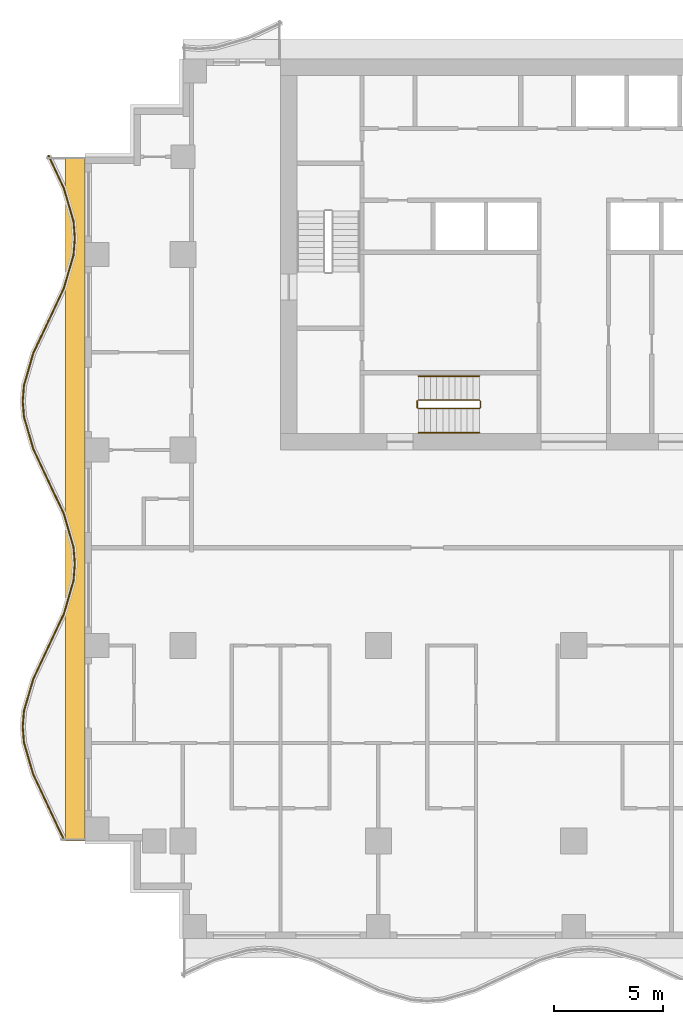
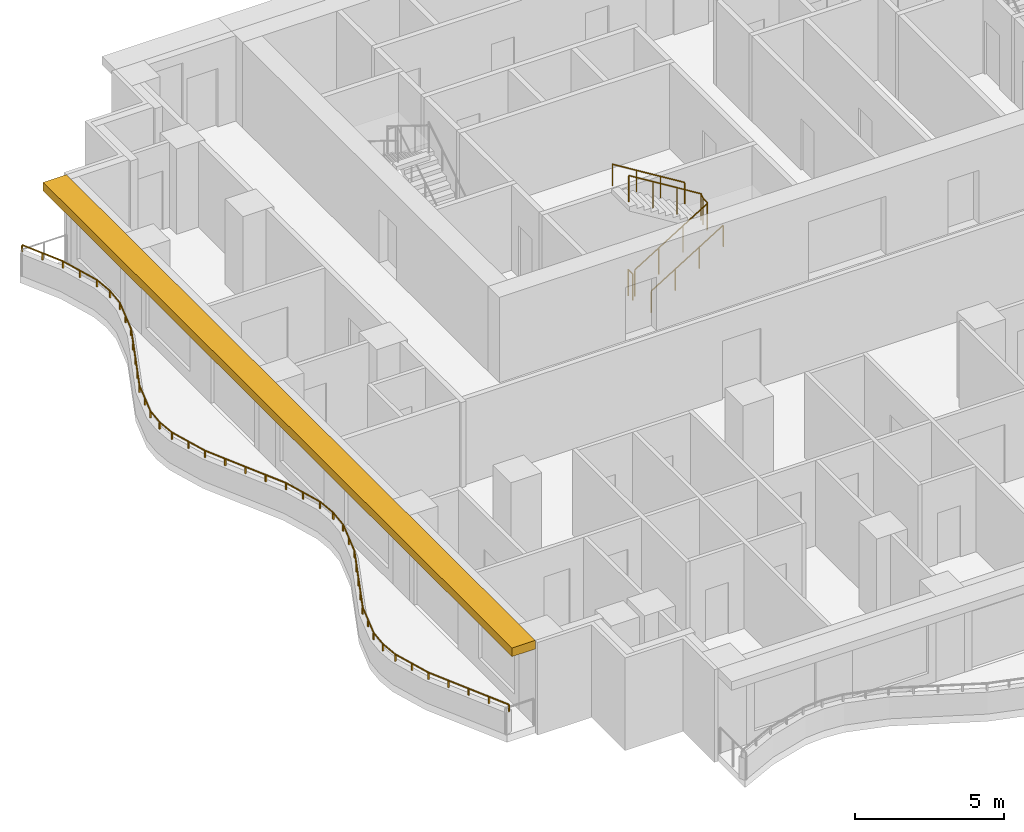
# One storey, part 8 of 10: 5 railings, 1 shading device.
"""IFC4 building model written with IfcOpenShell, lengths in metres."""

from ifc_helpers import new_model, si_unit, direction, frame, origin, origin_2d, place, context, subcontext, project, spatial, polyline, rectangle, circle, outline, extrude, material, layer, layer_set, type_object, element, save


model = new_model("IFC4")

# Units and contexts
model_context = context("Model", 3, precision=1e-05, world=origin(), true_north=direction((0.0, 1.0)))
body_context = subcontext(model_context, "Body", "Model", "MODEL_VIEW")
ifc_project = project(units=[si_unit("LENGTHUNIT", "METRE"), si_unit("AREAUNIT", "SQUARE_METRE"), si_unit("VOLUMEUNIT", "CUBIC_METRE"), si_unit("PLANEANGLEUNIT", "RADIAN"), si_unit("MASSUNIT", "GRAM", prefix="KILO")], contexts=[model_context])

# Site, building, storey
site_placement = place(None, origin())
site = spatial("IfcSite", under=ifc_project, at=site_placement, CompositionType="ELEMENT")
building_placement = place(site_placement, origin())
building = spatial("IfcBuilding", under=site, at=building_placement, Name="Orbiselva Terraces", CompositionType="ELEMENT")
storey_placement = place(building_placement, frame((0.0, 0.0, 159.2)))
storey = spatial("IfcBuildingStorey", under=building, at=storey_placement, Name="L40", CompositionType="ELEMENT", Elevation=159.2)

# Railings
ifc_material_1 = material(Name="Stainless steel", Category="steel")
railing_type_1 = type_object("IfcRailingType", Name="CORE-GUARD-1100", PredefinedType="GUARDRAIL", material=ifc_material_1)
railing_1_placement = place(storey_placement, frame((-7.15, 6.4, 0.172727)))
element("IfcRailing", 1, at=railing_1_placement, inside=storey, type_object=railing_type_1, Name="L40 S3 stair guard 1", PredefinedType="GUARDRAIL", context=body_context, shape_type="SweptSolid", body=[
    extrude(circle(Radius=0.024, at=origin_2d()), frame((0.0, 0.0, 1.081), z_axis=(0.851088519012, 0.0, 0.52502222125), x_axis=(0.0, 1.0, 0.0)), (0.0, 0.0, 1.0), 3.289905),
    extrude(circle(Radius=0.024, at=origin_2d()), frame((2.8, 0.0, 2.808273), z_axis=(0.707106781187, 0.707106781187, 0.0), x_axis=(-0.707106781187, 0.707106781187, 0.0)), (0.0, 0.0, 1.0), 0.070711),
    extrude(circle(Radius=0.024, at=origin_2d()), frame((2.85, 0.05, 2.808273), z_axis=(0.0, 1.0, 0.0), x_axis=(-1.0, 0.0, 0.0)), (0.0, 0.0, 1.0), 0.3),
    extrude(circle(Radius=0.024, at=origin_2d()), frame((2.85, 0.35, 2.808273), z_axis=(-0.267894925557, 0.267894925557, 0.925453736133), x_axis=(-0.707106781187, -0.707106781187, 0.0)), (0.0, 0.0, 1.0), 0.18664),
    extrude(circle(Radius=0.024, at=origin_2d()), frame((2.8, 0.4, 2.981), z_axis=(-0.851088519012, 0.0, 0.52502222125), x_axis=(0.0, -1.0, 0.0)), (0.0, 0.0, 1.0), 3.289905),
    extrude(circle(Radius=0.021, at=origin_2d()), origin(), (0.0, 0.0, 1.0), 1.057),
    extrude(circle(Radius=0.021, at=origin_2d()), frame((0.933333, 0.0, 0.575758)), (0.0, 0.0, 1.0), 1.057),
    extrude(circle(Radius=0.021, at=origin_2d()), frame((1.866667, 0.0, 1.151515)), (0.0, 0.0, 1.0), 1.057),
    extrude(circle(Radius=0.021, at=origin_2d()), frame((2.8, 0.0, 1.727273)), (0.0, 0.0, 1.0), 1.057),
    extrude(circle(Radius=0.021, at=origin_2d()), frame((2.85, 0.05, 1.727273)), (0.0, 0.0, 1.0), 1.057),
    extrude(circle(Radius=0.021, at=origin_2d()), frame((2.85, 0.35, 1.727273)), (0.0, 0.0, 1.0), 1.057),
    extrude(circle(Radius=0.021, at=origin_2d()), frame((2.8, 0.4, 1.9)), (0.0, 0.0, 1.0), 1.057),
    extrude(circle(Radius=0.021, at=origin_2d()), frame((1.866667, 0.4, 2.475758)), (0.0, 0.0, 1.0), 1.057),
    extrude(circle(Radius=0.021, at=origin_2d()), frame((0.933333, 0.4, 3.051515)), (0.0, 0.0, 1.0), 1.057),
    extrude(circle(Radius=0.021, at=origin_2d()), frame((0.0, 0.4, 3.627273)), (0.0, 0.0, 1.0), 1.057),
])
railing_2_placement = place(storey_placement, frame((-7.2, 6.45, 0.0)))
element("IfcRailing", 2, at=railing_2_placement, inside=storey, type_object=railing_type_1, Name="L40 S3 stair guard 2", PredefinedType="GUARDRAIL", context=body_context, shape_type="SweptSolid", body=[
    extrude(circle(Radius=0.024, at=origin_2d()), frame((0.0, 0.0, 1.081), z_axis=(0.0, 1.0, 0.0), x_axis=(-1.0, 0.0, 0.0)), (0.0, 0.0, 1.0), 0.3),
    extrude(circle(Radius=0.021, at=origin_2d()), origin(), (0.0, 0.0, 1.0), 1.057),
    extrude(circle(Radius=0.021, at=origin_2d()), frame((0.0, 0.3, 0.0)), (0.0, 0.0, 1.0), 1.057),
])
railing_type_2 = type_object("IfcRailingType", Name="CORE-HANDRAIL-900", PredefinedType="HANDRAIL", material=ifc_material_1)
railing_3_placement = place(storey_placement, frame((-7.15, 5.3, 0.172727)))
element("IfcRailing", 3, at=railing_3_placement, inside=storey, type_object=railing_type_2, Name="L40 S3 stair handrail 1", PredefinedType="HANDRAIL", context=body_context, shape_type="SweptSolid", body=[
    extrude(circle(Radius=0.024, at=origin_2d()), frame((0.0, 0.0, 0.876), z_axis=(0.851088519012, 0.0, 0.52502222125), x_axis=(0.0, 1.0, 0.0)), (0.0, 0.0, 1.0), 3.289905),
    extrude(circle(Radius=0.021, at=origin_2d()), origin(), (0.0, 0.0, 1.0), 0.852),
    extrude(circle(Radius=0.021, at=origin_2d()), frame((0.933333, 0.0, 0.575758)), (0.0, 0.0, 1.0), 0.852),
    extrude(circle(Radius=0.021, at=origin_2d()), frame((1.866667, 0.0, 1.151515)), (0.0, 0.0, 1.0), 0.852),
    extrude(circle(Radius=0.021, at=origin_2d()), frame((2.8, 0.0, 1.727273)), (0.0, 0.0, 1.0), 0.852),
])
railing_4_placement = place(storey_placement, frame((-4.35, 7.9, 2.072727)))
element("IfcRailing", 4, at=railing_4_placement, inside=storey, type_object=railing_type_2, Name="L40 S3 stair handrail 2", PredefinedType="HANDRAIL", context=body_context, shape_type="SweptSolid", body=[
    extrude(circle(Radius=0.024, at=origin_2d()), frame((0.0, 0.0, 0.876), z_axis=(-0.851088519012, 0.0, 0.52502222125), x_axis=(0.0, -1.0, 0.0)), (0.0, 0.0, 1.0), 3.289905),
    extrude(circle(Radius=0.021, at=origin_2d()), origin(), (0.0, 0.0, 1.0), 0.852),
    extrude(circle(Radius=0.021, at=origin_2d()), frame((-0.933333, 0.0, 0.575758)), (0.0, 0.0, 1.0), 0.852),
    extrude(circle(Radius=0.021, at=origin_2d()), frame((-1.866667, 0.0, 1.151515)), (0.0, 0.0, 1.0), 0.852),
    extrude(circle(Radius=0.021, at=origin_2d()), frame((-2.8, 0.0, 1.727273)), (0.0, 0.0, 1.0), 0.852),
])
ifc_material_2 = material(Name="Bonded two-ply safety glass balustrade, stainless steel posts", Category="steel")
railing_type_3 = type_object("IfcRailingType", Name="ENV-BALUSTRADE-1200", PredefinedType="BALUSTRADE", material=ifc_material_2)
railing_5_placement = place(storey_placement, frame((-24.186882, 18.053191, 0.9)))
element("IfcRailing", 5, at=railing_5_placement, inside=storey, type_object=railing_type_3, Name="Balcony balustrade L40 W", PredefinedType="BALUSTRADE", context=body_context, shape_type="SweptSolid", body=[
    extrude(outline(polyline([(0.028868, 0.0), (0.014434, 0.025), (-0.014434, 0.025), (-0.028868, 0.0), (-0.014434, -0.025), (0.014434, -0.025), (0.028868, 0.0)])), frame((0.0, 0.0, 0.275), z_axis=(0.425530342069, -0.904944157382, 0.0), x_axis=(0.904944157382, 0.425530342069, 0.0)), (0.0, 0.0, 1.0), 1.667376),
    extrude(outline(polyline([(0.028868, 0.0), (0.014434, 0.025), (-0.014434, 0.025), (-0.028868, 0.0), (-0.014434, -0.025), (0.014434, -0.025), (0.028868, 0.0)])), frame((0.709519, -1.508882, 0.275), z_axis=(0.279070928786, -0.960270491427, 0.0), x_axis=(0.960270491427, 0.279070928786, 0.0)), (0.0, 0.0, 1.0), 1.584712),
    extrude(outline(polyline([(0.028868, 0.0), (0.014434, 0.025), (-0.014434, 0.025), (-0.028868, 0.0), (-0.014434, -0.025), (0.014434, -0.025), (0.028868, 0.0)])), frame((1.151766, -3.030634, 0.275), z_axis=(0.078071061106, -0.996947796737, 0.0), x_axis=(0.996947796737, 0.078071061106, 0.0)), (0.0, 0.0, 1.0), 0.774922),
    extrude(outline(polyline([(0.028868, 0.0), (0.014434, 0.025), (-0.014434, 0.025), (-0.028868, 0.0), (-0.014434, -0.025), (0.014434, -0.025), (0.028868, 0.0)])), frame((1.212265, -3.803191, 0.275), z_axis=(-0.078071061106, -0.996947796737, 0.0), x_axis=(0.996947796737, -0.078071061106, 0.0)), (0.0, 0.0, 1.0), 0.774922),
    extrude(outline(polyline([(0.028868, 0.0), (0.014434, 0.025), (-0.014434, 0.025), (-0.028868, 0.0), (-0.014434, -0.025), (0.014434, -0.025), (0.028868, 0.0)])), frame((1.151766, -4.575748, 0.275), z_axis=(-0.279070928786, -0.960270491427, 0.0), x_axis=(0.960270491427, -0.279070928786, 0.0)), (0.0, 0.0, 1.0), 1.584712),
    extrude(outline(polyline([(0.028868, 0.0), (0.014434, 0.025), (-0.014434, 0.025), (-0.028868, 0.0), (-0.014434, -0.025), (0.014434, -0.025), (0.028868, 0.0)])), frame((0.709519, -6.0975, 0.275), z_axis=(-0.425530342069, -0.904944157382, 0.0), x_axis=(0.904944157382, -0.425530342069, 0.0)), (0.0, 0.0, 1.0), 1.667376),
    extrude(outline(polyline([(0.028868, 0.0), (0.014434, 0.025), (-0.014434, 0.025), (-0.028868, 0.0), (-0.014434, -0.025), (0.014434, -0.025), (0.028868, 0.0)])), frame((0.0, -7.606382, 0.275), z_axis=(-0.425529912322, -0.904944359461, 0.0), x_axis=(0.904944359461, -0.425529912322, 0.0)), (0.0, 0.0, 1.0), 1.647746),
    extrude(outline(polyline([(0.028868, 0.0), (0.014434, 0.025), (-0.014434, 0.025), (-0.028868, 0.0), (-0.014434, -0.025), (0.014434, -0.025), (0.028868, 0.0)])), frame((-0.701165, -9.0975, 0.275), z_axis=(-0.279071528957, -0.960270317007, 0.0), x_axis=(0.960270317007, -0.279071528957, 0.0)), (0.0, 0.0, 1.0), 1.539408),
    extrude(outline(polyline([(0.028868, 0.0), (0.014434, 0.025), (-0.014434, 0.025), (-0.028868, 0.0), (-0.014434, -0.025), (0.014434, -0.025), (0.028868, 0.0)])), frame((-1.13077, -10.575748, 0.275), z_axis=(-0.078069536776, -0.996947916106, 0.0), x_axis=(0.996947916106, -0.078069536776, 0.0)), (0.0, 0.0, 1.0), 0.72967),
    extrude(outline(polyline([(0.028868, 0.0), (0.014434, 0.025), (-0.014434, 0.025), (-0.028868, 0.0), (-0.014434, -0.025), (0.014434, -0.025), (0.028868, 0.0)])), frame((-1.187735, -11.303191, 0.275), z_axis=(0.078069536776, -0.996947916106, 0.0), x_axis=(0.996947916106, 0.078069536776, 0.0)), (0.0, 0.0, 1.0), 0.72967),
    extrude(outline(polyline([(0.028868, 0.0), (0.014434, 0.025), (-0.014434, 0.025), (-0.028868, 0.0), (-0.014434, -0.025), (0.014434, -0.025), (0.028868, 0.0)])), frame((-1.13077, -12.030634, 0.275), z_axis=(0.279071528957, -0.960270317007, 0.0), x_axis=(0.960270317007, 0.279071528957, 0.0)), (0.0, 0.0, 1.0), 1.539408),
    extrude(outline(polyline([(0.028868, 0.0), (0.014434, 0.025), (-0.014434, 0.025), (-0.028868, 0.0), (-0.014434, -0.025), (0.014434, -0.025), (0.028868, 0.0)])), frame((-0.701165, -13.508882, 0.275), z_axis=(0.425529912322, -0.904944359461, 0.0), x_axis=(0.904944359461, 0.425529912322, 0.0)), (0.0, 0.0, 1.0), 1.647746),
    extrude(outline(polyline([(0.028868, 0.0), (0.014434, 0.025), (-0.014434, 0.025), (-0.028868, 0.0), (-0.014434, -0.025), (0.014434, -0.025), (0.028868, 0.0)])), frame((0.0, -15.0, 0.275), z_axis=(0.425530342069, -0.904944157382, 0.0), x_axis=(0.904944157382, 0.425530342069, 0.0)), (0.0, 0.0, 1.0), 1.667376),
    extrude(outline(polyline([(0.028868, 0.0), (0.014434, 0.025), (-0.014434, 0.025), (-0.028868, 0.0), (-0.014434, -0.025), (0.014434, -0.025), (0.028868, 0.0)])), frame((0.709519, -16.508882, 0.275), z_axis=(0.279070928786, -0.960270491427, 0.0), x_axis=(0.960270491427, 0.279070928786, 0.0)), (0.0, 0.0, 1.0), 1.584712),
    extrude(outline(polyline([(0.028868, 0.0), (0.014434, 0.025), (-0.014434, 0.025), (-0.028868, 0.0), (-0.014434, -0.025), (0.014434, -0.025), (0.028868, 0.0)])), frame((1.151766, -18.030634, 0.275), z_axis=(0.078071061106, -0.996947796737, 0.0), x_axis=(0.996947796737, 0.078071061106, 0.0)), (0.0, 0.0, 1.0), 0.774922),
    extrude(outline(polyline([(0.028868, 0.0), (0.014434, 0.025), (-0.014434, 0.025), (-0.028868, 0.0), (-0.014434, -0.025), (0.014434, -0.025), (0.028868, 0.0)])), frame((1.212265, -18.803191, 0.275), z_axis=(-0.078071061106, -0.996947796737, 0.0), x_axis=(0.996947796737, -0.078071061106, 0.0)), (0.0, 0.0, 1.0), 0.774922),
    extrude(outline(polyline([(0.028868, 0.0), (0.014434, 0.025), (-0.014434, 0.025), (-0.028868, 0.0), (-0.014434, -0.025), (0.014434, -0.025), (0.028868, 0.0)])), frame((1.151766, -19.575748, 0.275), z_axis=(-0.279070928786, -0.960270491427, 0.0), x_axis=(0.960270491427, -0.279070928786, 0.0)), (0.0, 0.0, 1.0), 1.584712),
    extrude(outline(polyline([(0.028868, 0.0), (0.014434, 0.025), (-0.014434, 0.025), (-0.028868, 0.0), (-0.014434, -0.025), (0.014434, -0.025), (0.028868, 0.0)])), frame((0.709519, -21.0975, 0.275), z_axis=(-0.425530342069, -0.904944157382, 0.0), x_axis=(0.904944157382, -0.425530342069, 0.0)), (0.0, 0.0, 1.0), 1.667376),
    extrude(outline(polyline([(0.028868, 0.0), (0.014434, 0.025), (-0.014434, 0.025), (-0.028868, 0.0), (-0.014434, -0.025), (0.014434, -0.025), (0.028868, 0.0)])), frame((0.0, -22.606382, 0.275), z_axis=(-0.425529912322, -0.904944359461, 0.0), x_axis=(0.904944359461, -0.425529912322, 0.0)), (0.0, 0.0, 1.0), 1.647746),
    extrude(outline(polyline([(0.028868, 0.0), (0.014434, 0.025), (-0.014434, 0.025), (-0.028868, 0.0), (-0.014434, -0.025), (0.014434, -0.025), (0.028868, 0.0)])), frame((-0.701165, -24.0975, 0.275), z_axis=(-0.279071528957, -0.960270317007, 0.0), x_axis=(0.960270317007, -0.279071528957, 0.0)), (0.0, 0.0, 1.0), 1.539408),
    extrude(outline(polyline([(0.028868, 0.0), (0.014434, 0.025), (-0.014434, 0.025), (-0.028868, 0.0), (-0.014434, -0.025), (0.014434, -0.025), (0.028868, 0.0)])), frame((-1.13077, -25.575748, 0.275), z_axis=(-0.078069536776, -0.996947916106, 0.0), x_axis=(0.996947916106, -0.078069536776, 0.0)), (0.0, 0.0, 1.0), 0.72967),
    extrude(outline(polyline([(0.028868, 0.0), (0.014434, 0.025), (-0.014434, 0.025), (-0.028868, 0.0), (-0.014434, -0.025), (0.014434, -0.025), (0.028868, 0.0)])), frame((-1.187735, -26.303191, 0.275), z_axis=(0.078069536776, -0.996947916106, 0.0), x_axis=(0.996947916106, 0.078069536776, 0.0)), (0.0, 0.0, 1.0), 0.72967),
    extrude(outline(polyline([(0.028868, 0.0), (0.014434, 0.025), (-0.014434, 0.025), (-0.028868, 0.0), (-0.014434, -0.025), (0.014434, -0.025), (0.028868, 0.0)])), frame((-1.13077, -27.030634, 0.275), z_axis=(0.279071528957, -0.960270317007, 0.0), x_axis=(0.960270317007, 0.279071528957, 0.0)), (0.0, 0.0, 1.0), 1.539408),
    extrude(outline(polyline([(0.028868, 0.0), (0.014434, 0.025), (-0.014434, 0.025), (-0.028868, 0.0), (-0.014434, -0.025), (0.014434, -0.025), (0.028868, 0.0)])), frame((-0.701165, -28.508882, 0.275), z_axis=(0.425529912322, -0.904944359461, 0.0), x_axis=(0.904944359461, 0.425529912322, 0.0)), (0.0, 0.0, 1.0), 1.647746),
    extrude(outline(polyline([(0.028868, 0.0), (0.014434, 0.025), (-0.014434, 0.025), (-0.028868, 0.0), (-0.014434, -0.025), (0.014434, -0.025), (0.028868, 0.0)])), frame((0.0, -30.0, 0.275), z_axis=(0.425530128467, -0.904944257823, 0.0), x_axis=(0.904944257823, 0.425530128467, 0.0)), (0.0, 0.0, 1.0), 1.657561),
    extrude(rectangle(XDim=0.05, YDim=0.05, at=origin_2d()), origin(), (0.0, 0.0, 1.0), 0.25),
    extrude(rectangle(XDim=0.05, YDim=0.05, at=origin_2d()), frame((0.35476, -0.754441, 0.0)), (0.0, 0.0, 1.0), 0.25),
    extrude(rectangle(XDim=0.05, YDim=0.05, at=origin_2d()), frame((0.709519, -1.508882, 0.0)), (0.0, 0.0, 1.0), 0.25),
    extrude(rectangle(XDim=0.05, YDim=0.05, at=origin_2d()), frame((0.930643, -2.269758, 0.0)), (0.0, 0.0, 1.0), 0.25),
    extrude(rectangle(XDim=0.05, YDim=0.05, at=origin_2d()), frame((1.151766, -3.030634, 0.0)), (0.0, 0.0, 1.0), 0.25),
    extrude(rectangle(XDim=0.05, YDim=0.05, at=origin_2d()), frame((1.212265, -3.803191, 0.0)), (0.0, 0.0, 1.0), 0.25),
    extrude(rectangle(XDim=0.05, YDim=0.05, at=origin_2d()), frame((1.151766, -4.575748, 0.0)), (0.0, 0.0, 1.0), 0.25),
    extrude(rectangle(XDim=0.05, YDim=0.05, at=origin_2d()), frame((0.930643, -5.336624, 0.0)), (0.0, 0.0, 1.0), 0.25),
    extrude(rectangle(XDim=0.05, YDim=0.05, at=origin_2d()), frame((0.709519, -6.0975, 0.0)), (0.0, 0.0, 1.0), 0.25),
    extrude(rectangle(XDim=0.05, YDim=0.05, at=origin_2d()), frame((0.35476, -6.851941, 0.0)), (0.0, 0.0, 1.0), 0.25),
    extrude(rectangle(XDim=0.05, YDim=0.05, at=origin_2d()), frame((0.0, -7.606382, 0.0)), (0.0, 0.0, 1.0), 0.25),
    extrude(rectangle(XDim=0.05, YDim=0.05, at=origin_2d()), frame((-0.350582, -8.351941, 0.0)), (0.0, 0.0, 1.0), 0.25),
    extrude(rectangle(XDim=0.05, YDim=0.05, at=origin_2d()), frame((-0.701165, -9.0975, 0.0)), (0.0, 0.0, 1.0), 0.25),
    extrude(rectangle(XDim=0.05, YDim=0.05, at=origin_2d()), frame((-0.915967, -9.836624, 0.0)), (0.0, 0.0, 1.0), 0.25),
    extrude(rectangle(XDim=0.05, YDim=0.05, at=origin_2d()), frame((-1.13077, -10.575748, 0.0)), (0.0, 0.0, 1.0), 0.25),
    extrude(rectangle(XDim=0.05, YDim=0.05, at=origin_2d()), frame((-1.187735, -11.303191, 0.0)), (0.0, 0.0, 1.0), 0.25),
    extrude(rectangle(XDim=0.05, YDim=0.05, at=origin_2d()), frame((-1.13077, -12.030634, 0.0)), (0.0, 0.0, 1.0), 0.25),
    extrude(rectangle(XDim=0.05, YDim=0.05, at=origin_2d()), frame((-0.915967, -12.769758, 0.0)), (0.0, 0.0, 1.0), 0.25),
    extrude(rectangle(XDim=0.05, YDim=0.05, at=origin_2d()), frame((-0.701165, -13.508882, 0.0)), (0.0, 0.0, 1.0), 0.25),
    extrude(rectangle(XDim=0.05, YDim=0.05, at=origin_2d()), frame((-0.350582, -14.254441, 0.0)), (0.0, 0.0, 1.0), 0.25),
    extrude(rectangle(XDim=0.05, YDim=0.05, at=origin_2d()), frame((0.0, -15.0, 0.0)), (0.0, 0.0, 1.0), 0.25),
    extrude(rectangle(XDim=0.05, YDim=0.05, at=origin_2d()), frame((0.35476, -15.754441, 0.0)), (0.0, 0.0, 1.0), 0.25),
    extrude(rectangle(XDim=0.05, YDim=0.05, at=origin_2d()), frame((0.709519, -16.508882, 0.0)), (0.0, 0.0, 1.0), 0.25),
    extrude(rectangle(XDim=0.05, YDim=0.05, at=origin_2d()), frame((0.930643, -17.269758, 0.0)), (0.0, 0.0, 1.0), 0.25),
    extrude(rectangle(XDim=0.05, YDim=0.05, at=origin_2d()), frame((1.151766, -18.030634, 0.0)), (0.0, 0.0, 1.0), 0.25),
    extrude(rectangle(XDim=0.05, YDim=0.05, at=origin_2d()), frame((1.212265, -18.803191, 0.0)), (0.0, 0.0, 1.0), 0.25),
    extrude(rectangle(XDim=0.05, YDim=0.05, at=origin_2d()), frame((1.151766, -19.575748, 0.0)), (0.0, 0.0, 1.0), 0.25),
    extrude(rectangle(XDim=0.05, YDim=0.05, at=origin_2d()), frame((0.930643, -20.336624, 0.0)), (0.0, 0.0, 1.0), 0.25),
    extrude(rectangle(XDim=0.05, YDim=0.05, at=origin_2d()), frame((0.709519, -21.0975, 0.0)), (0.0, 0.0, 1.0), 0.25),
    extrude(rectangle(XDim=0.05, YDim=0.05, at=origin_2d()), frame((0.35476, -21.851941, 0.0)), (0.0, 0.0, 1.0), 0.25),
    extrude(rectangle(XDim=0.05, YDim=0.05, at=origin_2d()), frame((0.0, -22.606382, 0.0)), (0.0, 0.0, 1.0), 0.25),
    extrude(rectangle(XDim=0.05, YDim=0.05, at=origin_2d()), frame((-0.350582, -23.351941, 0.0)), (0.0, 0.0, 1.0), 0.25),
    extrude(rectangle(XDim=0.05, YDim=0.05, at=origin_2d()), frame((-0.701165, -24.0975, 0.0)), (0.0, 0.0, 1.0), 0.25),
    extrude(rectangle(XDim=0.05, YDim=0.05, at=origin_2d()), frame((-0.915967, -24.836624, 0.0)), (0.0, 0.0, 1.0), 0.25),
    extrude(rectangle(XDim=0.05, YDim=0.05, at=origin_2d()), frame((-1.13077, -25.575748, 0.0)), (0.0, 0.0, 1.0), 0.25),
    extrude(rectangle(XDim=0.05, YDim=0.05, at=origin_2d()), frame((-1.187735, -26.303191, 0.0)), (0.0, 0.0, 1.0), 0.25),
    extrude(rectangle(XDim=0.05, YDim=0.05, at=origin_2d()), frame((-1.13077, -27.030634, 0.0)), (0.0, 0.0, 1.0), 0.25),
    extrude(rectangle(XDim=0.05, YDim=0.05, at=origin_2d()), frame((-0.915967, -27.769758, 0.0)), (0.0, 0.0, 1.0), 0.25),
    extrude(rectangle(XDim=0.05, YDim=0.05, at=origin_2d()), frame((-0.701165, -28.508882, 0.0)), (0.0, 0.0, 1.0), 0.25),
    extrude(rectangle(XDim=0.05, YDim=0.05, at=origin_2d()), frame((-0.350582, -29.254441, 0.0)), (0.0, 0.0, 1.0), 0.25),
    extrude(rectangle(XDim=0.05, YDim=0.05, at=origin_2d()), frame((0.0, -30.0, 0.0)), (0.0, 0.0, 1.0), 0.25),
    extrude(rectangle(XDim=0.05, YDim=0.05, at=origin_2d()), frame((0.352671, -30.75, 0.0)), (0.0, 0.0, 1.0), 0.25),
    extrude(rectangle(XDim=0.05, YDim=0.05, at=origin_2d()), frame((0.705342, -31.5, 0.0)), (0.0, 0.0, 1.0), 0.25),
])

# Shading device
ifc_material_3 = material(Name="Terracotta baguette sunshade", Category="masonry")
ifc_layer = layer(ifc_material_3, 0.35)
ifc_layer_set = layer_set([ifc_layer], Name="Terracotta baguette sunshade")
shading_device_type = type_object("IfcShadingDeviceType", Name="ENV-SUNSHADE-900x350", PredefinedType="USERDEFINED", material=ifc_layer_set)
shading_device_placement = place(storey_placement, frame((0.0, 0.0, 3.15)))
element("IfcShadingDevice", 6, at=shading_device_placement, inside=storey, type_object=shading_device_type, Name="Sunshade band L40 W", ObjectType="SUNSHADE", PredefinedType="USERDEFINED", context=body_context, shape_type="SweptSolid", body=[
    extrude(outline(polyline([(-23.4, 18.0), (-23.4, -13.5), (-22.5, -13.5), (-22.5, 18.0), (-23.4, 18.0)])), origin(), (0.0, 0.0, 1.0), 0.35),
])

save(model, "model.ifc")
